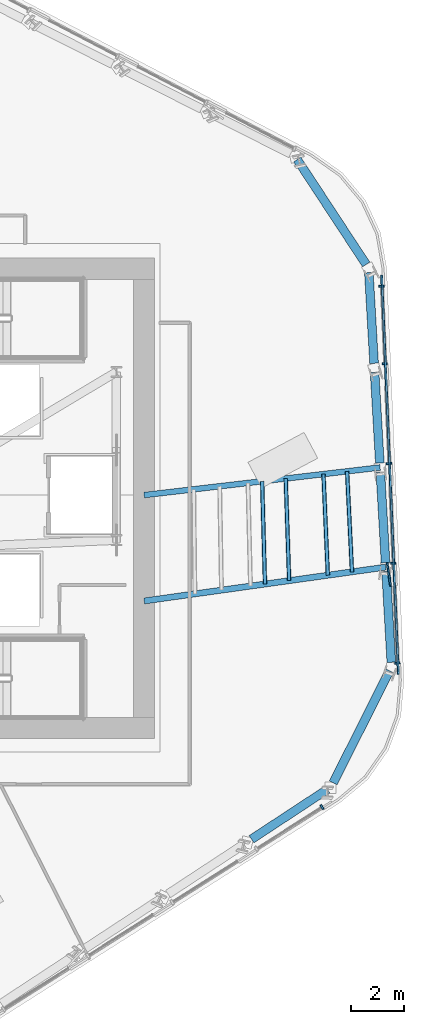
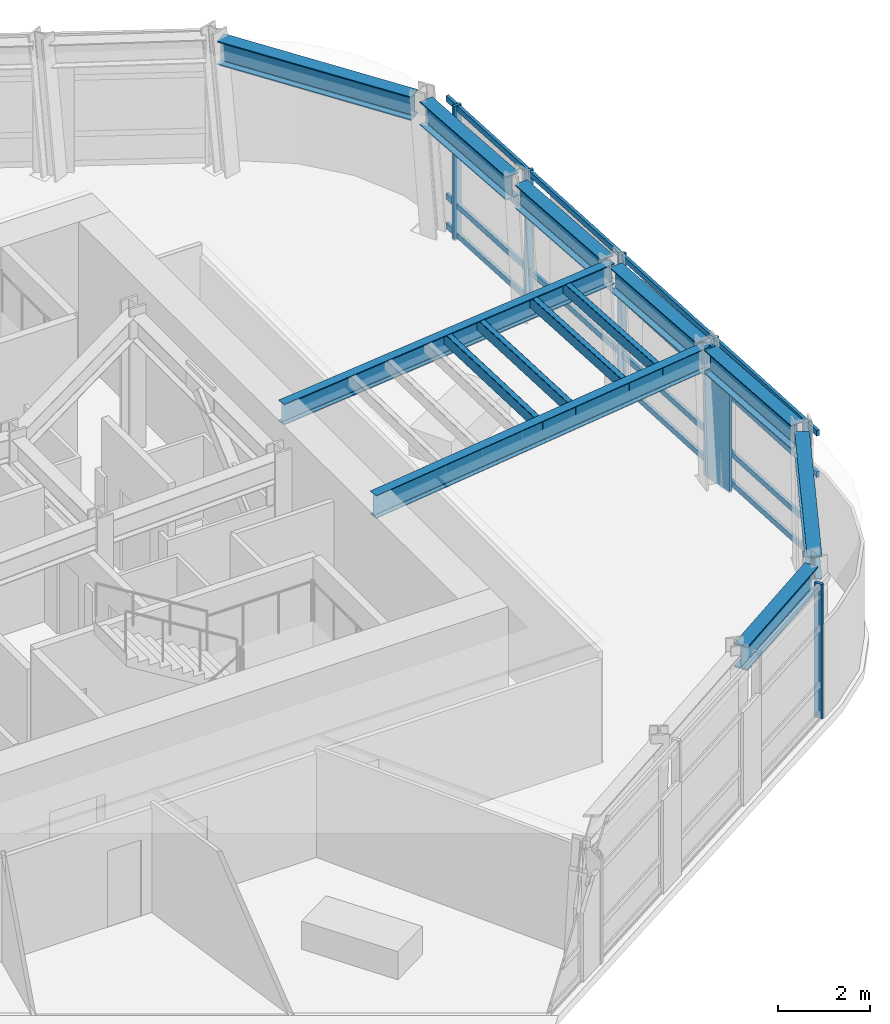
# One storey, part 5 of 15: 15 members, 9 beams, 2 elements without a shape of their own.
"""IFC4 building model written with IfcOpenShell, lengths in metres."""

from ifc_helpers import new_model, si_unit, direction, frame, origin, origin_2d, place, context, subcontext, project, spatial, rectangle, hollow_rectangle, i_section, extrude, material, layer, layer_set, material_profile, profile_set, type_object, element, aggregate, save


model = new_model("IFC4")

# Units and contexts
model_context = context("Model", 3, precision=1e-05, world=origin(), true_north=direction((0.0, 1.0)))
body_context = subcontext(model_context, "Body", "Model", "MODEL_VIEW")
ifc_project = project(units=[si_unit("LENGTHUNIT", "METRE"), si_unit("AREAUNIT", "SQUARE_METRE"), si_unit("VOLUMEUNIT", "CUBIC_METRE"), si_unit("PLANEANGLEUNIT", "RADIAN"), si_unit("MASSUNIT", "GRAM", prefix="KILO")], contexts=[model_context])

# Site, building, storey
site_placement = place(None, origin())
site = spatial("IfcSite", under=ifc_project, at=site_placement, CompositionType="ELEMENT")
building_placement = place(site_placement, origin())
building = spatial("IfcBuilding", under=site, at=building_placement, Name="Valkerne Bourse Tower", CompositionType="ELEMENT")
storey_placement = place(building_placement, frame((0.0, 0.0, 162.800048828125)))
storey = spatial("IfcBuildingStorey", under=building, at=storey_placement, Name="L41", CompositionType="ELEMENT", Elevation=162.800048828125)

# Beams
ifc_material_1 = material(Name="Steel ASTM A992", Category="steel")
ifc_material_profile_1 = material_profile(ifc_material_1, i_section(OverallWidth=0.2138671875, OverallDepth=0.548583984375, WebThickness=0.0146484375, FlangeThickness=0.023681640625, FilletRadius=0.017822265625, at=origin_2d()), Name="W21X93")
ifc_profile_set_1 = profile_set([ifc_material_profile_1], Name="Steel ASTM A992")
beam_type_1 = type_object("IfcBeamType", Name="BM-W21X93", PredefinedType="BEAM", material=ifc_profile_set_1)
beam_1_placement = place(storey_placement, frame((64.9130859375, 28.04443359375, 3.3056640625), z_axis=(-0.993204351961, -0.116383483557, 0.0), x_axis=(0.116383483557, -0.993204351961, 0.0)))
element("IfcBeam", 1, at=beam_1_placement, inside=storey, type_object=beam_type_1, Name="L41 Radial Composite Floor Beam 27", PredefinedType="BEAM", context=body_context, shape_type="SweptSolid", body=[
    extrude(i_section(OverallWidth=0.2138671875, OverallDepth=0.548583984375, WebThickness=0.0146484375, FlangeThickness=0.023681640625, FilletRadius=0.017822265625, at=origin_2d()), origin(), (0.0, 0.0, 1.0), 8.97412109375),
])
ifc_material_profile_2 = material_profile(ifc_material_1, i_section(OverallWidth=0.32763671875, OverallDepth=0.62744140625, WebThickness=0.0166015625, FlangeThickness=0.027587890625, FilletRadius=0.020263671875, at=origin_2d()), Name="W24X146")
ifc_profile_set_2 = profile_set([ifc_material_profile_2], Name="Steel ASTM A992")
beam_type_2 = type_object("IfcBeamType", Name="BM-W24X146", PredefinedType="SPANDREL", material=ifc_profile_set_2)
beam_2_placement = place(storey_placement, frame((60.054931640625, 13.99951171875, 3.266357421875), z_axis=(0.835796907879, 0.549038731585, 0.0), x_axis=(-0.549038731585, 0.835796907879, 0.0)))
element("IfcBeam", 2, at=beam_2_placement, inside=storey, type_object=beam_type_2, Name="L41 Hexagonal Spandrel Ring Beam 23", PredefinedType="SPANDREL", context=body_context, shape_type="SweptSolid", body=[
    extrude(i_section(OverallWidth=0.32763671875, OverallDepth=0.62744140625, WebThickness=0.0166015625, FlangeThickness=0.027587890625, FilletRadius=0.020263671875, at=origin_2d()), origin(), (0.0, 0.0, 1.0), 3.43115234375),
])
beam_3_placement = place(storey_placement, frame((63.14111328125, 16.12841796875, 3.266357421875), z_axis=(0.44933436528, 0.893363659535, 0.0), x_axis=(-0.893363659535, 0.44933436528, 0.0)))
element("IfcBeam", 3, at=beam_3_placement, inside=storey, type_object=beam_type_2, Name="L41 Hexagonal Spandrel Ring Beam 24", PredefinedType="SPANDREL", context=body_context, shape_type="SweptSolid", body=[
    extrude(i_section(OverallWidth=0.32763671875, OverallDepth=0.62744140625, WebThickness=0.0166015625, FlangeThickness=0.027587890625, FilletRadius=0.020263671875, at=origin_2d()), origin(), (0.0, 0.0, 1.0), 4.739990234375),
])
beam_4_placement = place(storey_placement, frame((65.33740234375, 20.6845703125, 3.266357421875), z_axis=(-0.05756244057, 0.998341908083, 0.0), x_axis=(-0.998341908083, -0.05756244057, 0.0)))
element("IfcBeam", 4, at=beam_4_placement, inside=storey, type_object=beam_type_2, Name="L41 Hexagonal Spandrel Ring Beam 25", PredefinedType="SPANDREL", context=body_context, shape_type="SweptSolid", body=[
    extrude(i_section(OverallWidth=0.32763671875, OverallDepth=0.62744140625, WebThickness=0.0166015625, FlangeThickness=0.027587890625, FilletRadius=0.020263671875, at=origin_2d()), origin(), (0.0, 0.0, 1.0), 3.43115234375),
])
for number, where, z_axis, x_axis, name in (
    (5, (65.120361328125, 24.449462890625, 3.266357421875), (-0.057566529785, 0.998341672299, 0.0), (-0.998341672299, -0.057566529785, 0.0), "L41 Hexagonal Spandrel Ring Beam 26"),
    (6, (64.9033203125, 28.214111328125, 3.266357421875), (-0.057566529785, 0.998341672299, 0.0), (-0.998341672299, -0.057566529785, 0.0), "L41 Hexagonal Spandrel Ring Beam 27"),
):
    element("IfcBeam", number, at=place(storey_placement, frame(where, z_axis=z_axis, x_axis=x_axis)), inside=storey, type_object=beam_type_2, Name=name, PredefinedType="SPANDREL", context=body_context, shape_type="SweptSolid", body=[
        extrude(i_section(OverallWidth=0.32763671875, OverallDepth=0.62744140625, WebThickness=0.0166015625, FlangeThickness=0.027587890625, FilletRadius=0.020263671875, at=origin_2d()), origin(), (0.0, 0.0, 1.0), 3.430908203125),
    ])
beam_5_placement = place(storey_placement, frame((64.686279296875, 31.978759765625, 3.266357421875), z_axis=(-0.05756244057, 0.998341908083, 0.0), x_axis=(-0.998341908083, -0.05756244057, 0.0)))
element("IfcBeam", 7, at=beam_5_placement, inside=storey, type_object=beam_type_2, Name="L41 Hexagonal Spandrel Ring Beam 28", PredefinedType="SPANDREL", context=body_context, shape_type="SweptSolid", body=[
    extrude(i_section(OverallWidth=0.32763671875, OverallDepth=0.62744140625, WebThickness=0.0166015625, FlangeThickness=0.027587890625, FilletRadius=0.020263671875, at=origin_2d()), origin(), (0.0, 0.0, 1.0), 3.43115234375),
])
beam_6_placement = place(storey_placement, frame((64.3857421875, 35.716064453125, 3.266357421875), z_axis=(-0.549053520412, 0.835787192845, 0.0), x_axis=(-0.835787192845, -0.549053520412, 0.0)))
element("IfcBeam", 8, at=beam_6_placement, inside=storey, type_object=beam_type_2, Name="L41 Hexagonal Spandrel Ring Beam 29", PredefinedType="SPANDREL", context=body_context, shape_type="SweptSolid", body=[
    extrude(i_section(OverallWidth=0.32763671875, OverallDepth=0.62744140625, WebThickness=0.0166015625, FlangeThickness=0.027587890625, FilletRadius=0.020263671875, at=origin_2d()), origin(), (0.0, 0.0, 1.0), 4.739990234375),
])
ifc_material_profile_3 = material_profile(ifc_material_1, i_section(OverallWidth=0.228271484375, OverallDepth=0.607177734375, WebThickness=0.01123046875, FlangeThickness=0.017333984375, FilletRadius=0.017822265625, at=origin_2d()), Name="W24X76")
ifc_profile_set_3 = profile_set([ifc_material_profile_3], Name="Steel ASTM A992")
beam_type_3 = type_object("IfcBeamType", Name="BM-W24X76", PredefinedType="JOIST", material=ifc_profile_set_3)
beam_7_placement = place(storey_placement, frame((65.130126953125, 24.27978515625, 3.2763671875), z_axis=(-0.99031838885, -0.138814583907, 0.0), x_axis=(0.138814583907, -0.99031838885, 0.0)))
element("IfcBeam", 9, at=beam_7_placement, inside=storey, type_object=beam_type_3, Name="L41 Radial Composite Floor Beam 26", PredefinedType="JOIST", context=body_context, shape_type="SweptSolid", body=[
    extrude(i_section(OverallWidth=0.228271484375, OverallDepth=0.607177734375, WebThickness=0.01123046875, FlangeThickness=0.017333984375, FilletRadius=0.017822265625, at=origin_2d()), origin(), (0.0, 0.0, 1.0), 9.219482421875),
])

# Curtain wall, member
ifc_material_2 = material(Name="Aluminium AA 6063-T6", Category="aluminium")
ifc_layer = layer(ifc_material_2, 0.235107421875)
ifc_layer_set = layer_set([ifc_layer], Name="Aluminium AA 6063-T6")
curtain_wall_type = type_object("IfcCurtainWallType", Name="CW-03", PredefinedType="NOTDEFINED", material=ifc_layer_set)
curtain_wall_1_placement = place(storey_placement, origin())
curtain_wall_1 = element("IfcCurtainWall", 10, at=curtain_wall_1_placement, inside=storey, type_object=curtain_wall_type, Name="L41 Hexagonal Stick Curtain Wall Face 5", PredefinedType="NOTDEFINED")
ifc_material_profile_4 = material_profile(ifc_material_2, rectangle(XDim=0.074951171875, YDim=0.199951171875, at=origin_2d()), Name="CWM-75X200")
ifc_profile_set_4 = profile_set([ifc_material_profile_4], Name="Aluminium AA 6063-T6")
member_type_1 = type_object("IfcMemberType", Name="CW-MUL-220X75", PredefinedType="MULLION", material=ifc_profile_set_4)
member_1_placement = place(storey_placement, frame((62.71728515625, 15.210205078125, 0.0), z_axis=(0.0, 0.0, 1.0), x_axis=(0.844331265878, 0.535821531353, 0.0)))
member_1 = element("IfcMember", 11, at=member_1_placement, type_object=member_type_1, Name="CW-L41-F5 Jamb Mullion 03B", PredefinedType="MULLION", context=body_context, shape_type="SweptSolid", body=[
    extrude(rectangle(XDim=0.074951171875, YDim=0.199951171875, at=origin_2d()), origin(), (0.0, 0.0, 1.0), 3.579833984375),
])
aggregate(curtain_wall_1, [member_1])

# Curtain wall, members
curtain_wall_2_placement = place(storey_placement, origin())
curtain_wall_2 = element("IfcCurtainWall", 12, at=curtain_wall_2_placement, inside=storey, type_object=curtain_wall_type, Name="L41 Hexagonal Stick Curtain Wall Face 6", PredefinedType="NOTDEFINED")
member_2_placement = place(storey_placement, frame((65.565185546875, 20.658203125, 0.0), z_axis=(0.0, 0.0, 1.0), x_axis=(-0.041872101908, 0.999122978958, 0.0)))
member_2 = element("IfcMember", 13, at=member_2_placement, type_object=member_type_1, Name="CW-L41-F6 Jamb Mullion 00A", PredefinedType="MULLION", context=body_context, shape_type="SweptSolid", body=[
    extrude(rectangle(XDim=0.074951171875, YDim=0.199951171875, at=origin_2d()), origin(), (0.0, 0.0, 1.0), 3.579833984375),
])
member_3_placement = place(storey_placement, frame((65.4072265625, 24.426025390625, 0.0), z_axis=(0.0, 0.0, 1.0), x_axis=(-0.041872101908, 0.999122978958, 0.0)))
member_3 = element("IfcMember", 14, at=member_3_placement, type_object=member_type_1, Name="CW-L41-F6 Jamb Mullion 01A", PredefinedType="MULLION", context=body_context, shape_type="SweptSolid", body=[
    extrude(rectangle(XDim=0.074951171875, YDim=0.199951171875, at=origin_2d()), origin(), (0.0, 0.0, 1.0), 3.579833984375),
])
member_4_placement = place(storey_placement, frame((65.24951171875, 28.193603515625, 0.0), z_axis=(0.0, 0.0, 1.0), x_axis=(-0.041872101908, 0.999122978958, 0.0)))
member_4 = element("IfcMember", 15, at=member_4_placement, type_object=member_type_1, Name="CW-L41-F6 Jamb Mullion 02A", PredefinedType="MULLION", context=body_context, shape_type="SweptSolid", body=[
    extrude(rectangle(XDim=0.074951171875, YDim=0.199951171875, at=origin_2d()), origin(), (0.0, 0.0, 1.0), 3.579833984375),
])
member_5_placement = place(storey_placement, frame((65.091552734375, 31.96142578125, 0.0), z_axis=(0.0, 0.0, 1.0), x_axis=(-0.04187321133, 0.999122932463, 0.0)))
member_5 = element("IfcMember", 16, at=member_5_placement, type_object=member_type_1, Name="CW-L41-F6 Jamb Mullion 03A", PredefinedType="MULLION", context=body_context, shape_type="SweptSolid", body=[
    extrude(rectangle(XDim=0.074951171875, YDim=0.199951171875, at=origin_2d()), origin(), (0.0, 0.0, 1.0), 3.579833984375),
])
member_6_placement = place(storey_placement, frame((64.96875, 34.8896484375, 0.0), z_axis=(0.0, 0.0, 1.0), x_axis=(-0.04187321133, 0.999122932463, 0.0)))
member_6 = element("IfcMember", 17, at=member_6_placement, type_object=member_type_1, Name="CW-L41-F6 Jamb Mullion 03B", PredefinedType="MULLION", context=body_context, shape_type="SweptSolid", body=[
    extrude(rectangle(XDim=0.074951171875, YDim=0.199951171875, at=origin_2d()), origin(), (0.0, 0.0, 1.0), 3.579833984375),
])
ifc_material_profile_5 = material_profile(ifc_material_2, rectangle(XDim=0.074951171875, YDim=0.14990234375, at=origin_2d()), Name="CWT-75X150")
ifc_profile_set_5 = profile_set([ifc_material_profile_5], Name="Aluminium AA 6063-T6")
member_type_2 = type_object("IfcMemberType", Name="CW-TRN-180X65", PredefinedType="USERDEFINED", material=ifc_profile_set_5)
member_7_placement = place(storey_placement, frame((65.602783203125, 20.239501953125, 0.119873046875), z_axis=(-0.041871556871, 0.9991230018, 0.0), x_axis=(-0.9991230018, -0.041871556871, 0.0)))
member_7 = element("IfcMember", 18, at=member_7_placement, type_object=member_type_2, Name="CW-L41-F6 Continuous Face Transom 1", ObjectType="TRANSOM", PredefinedType="USERDEFINED", context=body_context, shape_type="SweptSolid", body=[
    extrude(rectangle(XDim=0.074951171875, YDim=0.14990234375, at=origin_2d()), origin(), (0.0, 0.0, 1.0), 15.083984375),
])
member_8_placement = place(storey_placement, frame((65.602783203125, 20.239501953125, 0.89990234375), z_axis=(-0.041871556871, 0.9991230018, 0.0), x_axis=(-0.9991230018, -0.041871556871, 0.0)))
member_8 = element("IfcMember", 19, at=member_8_placement, type_object=member_type_2, Name="CW-L41-F6 Continuous Face Transom 2", ObjectType="TRANSOM", PredefinedType="USERDEFINED", context=body_context, shape_type="SweptSolid", body=[
    extrude(rectangle(XDim=0.074951171875, YDim=0.14990234375, at=origin_2d()), origin(), (0.0, 0.0, 1.0), 15.083984375),
])
member_9_placement = place(storey_placement, frame((65.602783203125, 20.239501953125, 2.39990234375), z_axis=(-0.041871556871, 0.9991230018, 0.0), x_axis=(-0.9991230018, -0.041871556871, 0.0)))
member_9 = element("IfcMember", 20, at=member_9_placement, type_object=member_type_2, Name="CW-L41-F6 Continuous Face Transom 3", ObjectType="TRANSOM", PredefinedType="USERDEFINED", context=body_context, shape_type="SweptSolid", body=[
    extrude(rectangle(XDim=0.074951171875, YDim=0.14990234375, at=origin_2d()), origin(), (0.0, 0.0, 1.0), 15.083984375),
])
member_10_placement = place(storey_placement, frame((65.602783203125, 20.239501953125, 3.5), z_axis=(-0.041871556871, 0.9991230018, 0.0), x_axis=(-0.9991230018, -0.041871556871, 0.0)))
member_10 = element("IfcMember", 21, at=member_10_placement, type_object=member_type_2, Name="CW-L41-F6 Continuous Face Transom 4", ObjectType="TRANSOM", PredefinedType="USERDEFINED", context=body_context, shape_type="SweptSolid", body=[
    extrude(rectangle(XDim=0.074951171875, YDim=0.14990234375, at=origin_2d()), origin(), (0.0, 0.0, 1.0), 15.083984375),
])
aggregate(curtain_wall_2, [member_7, member_8, member_9, member_10, member_2, member_3, member_4, member_5, member_6])

# Members
ifc_material_3 = material(Name="Bronze Anodised Aluminium AA 6063-T6", Category="aluminium")
ifc_material_profile_6 = material_profile(ifc_material_3, rectangle(XDim=0.070068359375, YDim=0.89990234375, at=origin_2d()), Name="FIN-70X900")
ifc_profile_set_6 = profile_set([ifc_material_profile_6], Name="Bronze Anodised Aluminium AA 6063-T6")
member_type_3 = type_object("IfcMemberType", Name="FIN-SOLAR-900", PredefinedType="USERDEFINED", material=ifc_profile_set_6)
member_11_placement = place(storey_placement, frame((65.2451171875, 23.998779296875, 0.00390625), z_axis=(0.0, 0.0, 1.0), x_axis=(0.988863160696, 0.148827582856, 0.0)))
element("IfcMember", 22, at=member_11_placement, inside=storey, type_object=member_type_3, Name="L41 Bronze Anodised Solar Fin F6-01", ObjectType="SOLAR_FIN", PredefinedType="USERDEFINED", context=body_context, shape_type="SweptSolid", body=[
    extrude(rectangle(XDim=0.070068359375, YDim=0.89990234375, at=origin_2d()), origin(), (0.0, 0.0, 1.0), 3.572021484375),
])
ifc_material_4 = material(Name="Steel ASTM A500 Grade C", Category="steel")
ifc_material_profile_7 = material_profile(ifc_material_4, hollow_rectangle(XDim=0.14990234375, YDim=0.300048828125, WallThickness=0.012451171875, OuterFilletRadius=0.02490234375, at=origin_2d()), Name="HSS300X150X12.5")
ifc_profile_set_7 = profile_set([ifc_material_profile_7], Name="Steel ASTM A500 Grade C")
member_type_4 = type_object("IfcMemberType", Name="MBR-HSS300X150X12.5", PredefinedType="PURLIN", material=ifc_profile_set_7)
member_12_placement = place(storey_placement, frame((60.565185546875, 23.639892578125, 3.419921875), z_axis=(-0.027972950748, 0.999608680448, 0.0), x_axis=(-0.999608680448, -0.027972950748, 0.0)))
element("IfcMember", 23, at=member_12_placement, inside=storey, type_object=member_type_4, Name="L41 Secondary Composite Floor Purlin M-26", PredefinedType="PURLIN", context=body_context, shape_type="SweptSolid", body=[
    extrude(hollow_rectangle(XDim=0.14990234375, YDim=0.300048828125, WallThickness=0.012451171875, OuterFilletRadius=0.02490234375, at=origin_2d()), origin(), (0.0, 0.0, 1.0), 3.8837890625),
])
member_13_placement = place(storey_placement, frame((62.93896484375, 23.97265625, 3.419921875), z_axis=(-0.04315189583, 0.999068523119, 0.0), x_axis=(-0.999068523119, -0.04315189583, 0.0)))
element("IfcMember", 24, at=member_13_placement, inside=storey, type_object=member_type_4, Name="L41 Secondary Composite Floor Purlin O-26", PredefinedType="PURLIN", context=body_context, shape_type="SweptSolid", body=[
    extrude(hollow_rectangle(XDim=0.14990234375, YDim=0.300048828125, WallThickness=0.012451171875, OuterFilletRadius=0.02490234375, at=origin_2d()), origin(), (0.0, 0.0, 1.0), 3.82470703125),
])
member_14_placement = place(storey_placement, frame((61.47802734375, 23.767822265625, 3.419921875), z_axis=(-0.03370221516, 0.999431918989, 0.0), x_axis=(-0.999431918989, -0.03370221516, 0.0)))
element("IfcMember", 25, at=member_14_placement, inside=storey, type_object=member_type_4, Name="L41 Secondary Composite Floor Purlin Z-26", PredefinedType="PURLIN", context=body_context, shape_type="SweptSolid", body=[
    extrude(hollow_rectangle(XDim=0.14990234375, YDim=0.300048828125, WallThickness=0.012451171875, OuterFilletRadius=0.02490234375, at=origin_2d()), origin(), (0.0, 0.0, 1.0), 3.861083984375),
])
member_15_placement = place(storey_placement, frame((63.85205078125, 24.1005859375, 3.419921875), z_axis=(-0.0491209592, 0.998792837062, 0.0), x_axis=(-0.998792837062, -0.0491209592, 0.0)))
element("IfcMember", 26, at=member_15_placement, inside=storey, type_object=member_type_4, Name="L41 Secondary Composite Floor Purlin T-26", PredefinedType="PURLIN", context=body_context, shape_type="SweptSolid", body=[
    extrude(hollow_rectangle(XDim=0.14990234375, YDim=0.300048828125, WallThickness=0.012451171875, OuterFilletRadius=0.02490234375, at=origin_2d()), origin(), (0.0, 0.0, 1.0), 3.80224609375),
])

save(model, "model.ifc")
